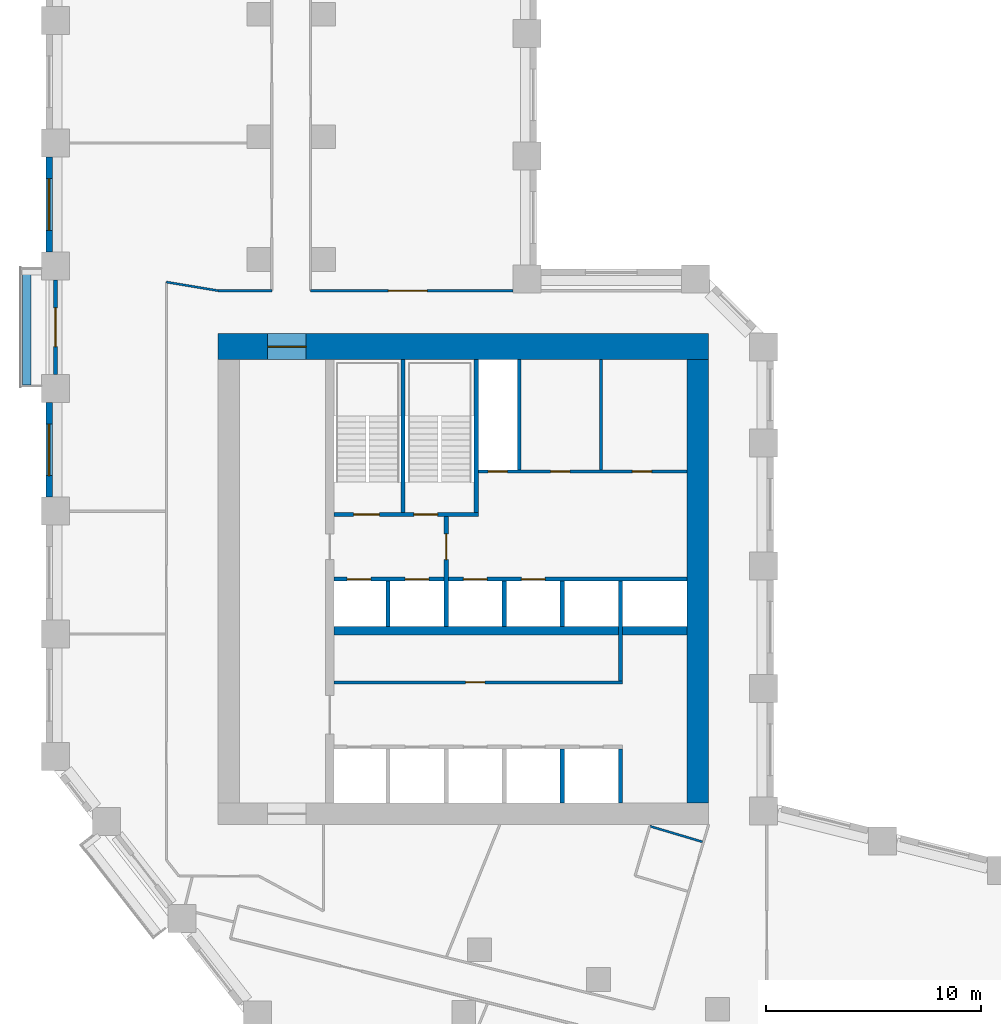
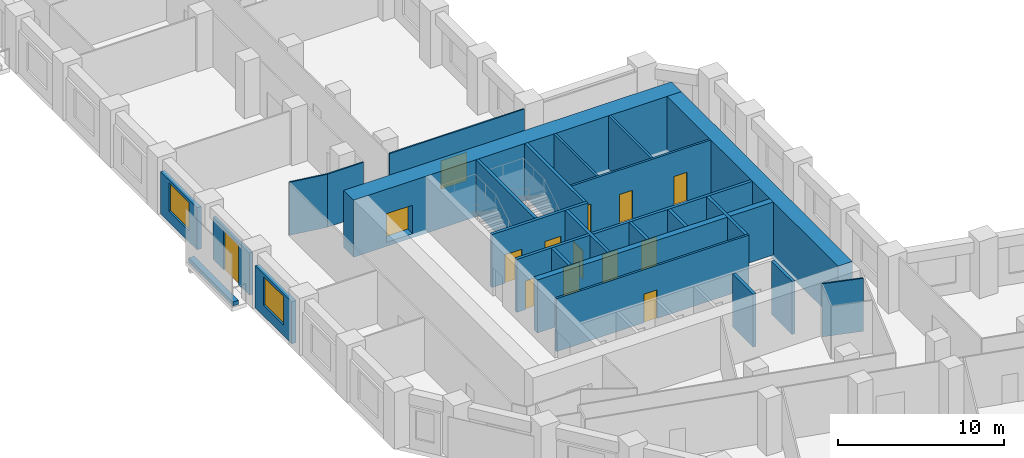
# One storey, part 5 of 10: 26 walls, 14 doors, 2 windows, 16 openings.
"""IFC4 building model written with IfcOpenShell, lengths in metres."""

from ifc_helpers import new_model, si_unit, direction, frame, frame_2d, origin, place, context, subcontext, project, spatial, rectangle, extrude, material, layer, layer_set, type_object, element, fill, save


model = new_model("IFC4")

# Units and contexts
model_context = context("Model", 3, precision=1e-05, world=origin(), true_north=direction((0.0, 1.0)))
body_context = subcontext(model_context, "Body", "Model", "MODEL_VIEW")
ifc_project = project(units=[si_unit("LENGTHUNIT", "METRE"), si_unit("AREAUNIT", "SQUARE_METRE"), si_unit("VOLUMEUNIT", "CUBIC_METRE"), si_unit("PLANEANGLEUNIT", "RADIAN"), si_unit("MASSUNIT", "GRAM", prefix="KILO")], contexts=[model_context])

# Site, building, storey
site_placement = place(None, origin())
site = spatial("IfcSite", under=ifc_project, at=site_placement, CompositionType="ELEMENT")
building_placement = place(site_placement, origin())
building = spatial("IfcBuilding", under=site, at=building_placement, Name="Meshkara Civic Tower", CompositionType="ELEMENT")
storey_placement = place(building_placement, frame((0.0, 0.0, 122.39990234375)))
storey = spatial("IfcBuildingStorey", under=building, at=storey_placement, Name="L27", CompositionType="ELEMENT", Elevation=122.39990234375)

# Wall, opening, door
ifc_material_1 = material(Name="Blockwork", Category="masonry")
ifc_layer_1 = layer(ifc_material_1, 0.14990234375)
ifc_layer_set_1 = layer_set([ifc_layer_1], Name="Core partition 150")
wall_type_1 = type_object("IfcWallType", Name="Core partition 150", PredefinedType="PARTITIONING", material=ifc_layer_set_1)
wall_1_placement = place(storey_placement, frame((13.39990234375, 20.699951171875, 0.0), z_axis=(0.0, 0.0, 1.0), x_axis=(1.0, 0.0, 0.0)))
wall_1 = element("IfcWall", 1, at=wall_1_placement, inside=storey, type_object=wall_type_1, Name="L27-C006", PredefinedType="PARTITIONING", context=body_context, shape_type="SweptSolid", body=[
    extrude(rectangle(XDim=13.400146484375, YDim=0.14990234375, at=frame_2d((6.7001953125, 0.0))), origin(), (0.0, 0.0, 1.0), 3.900146484375),
])
opening_1_placement = place(wall_1_placement, frame((6.10009765625, 0.0, 0.0)))
opening_1 = element("IfcOpeningElement", 2, at=opening_1_placement, cuts=wall_1, Name="Opening L27-K010", PredefinedType="OPENING", context=body_context, shape_type="SweptSolid", body=[
    extrude(rectangle(XDim=0.89990234375, YDim=2.10009765625, at=frame_2d((0.449951171875, 1.050048828125))), frame((0.0, 0.0849609375, 0.0), z_axis=(0.0, -1.0, 0.0), x_axis=(1.0, 0.0, 0.0)), (0.0, 0.0, 1.0), 0.169921875),
])
ifc_material_2 = material(Name="Timber door leaf in steel frame", Category="steel")
door_type_1 = type_object("IfcDoorType", Name="Core room door 900", OperationType="SINGLE_SWING_LEFT", PredefinedType="DOOR", material=ifc_material_2)
door_1_placement = place(opening_1_placement, origin())
door_1 = element("IfcDoor", 3, at=door_1_placement, inside=storey, type_object=door_type_1, Name="L27-K010", OperationType="SINGLE_SWING_RIGHT", OverallHeight=2.10009765625, OverallWidth=0.89990234375, PredefinedType="DOOR", context=body_context, shape_type="SweptSolid", body=[
    extrude(rectangle(XDim=0.89990234375, YDim=2.10009765625, at=frame_2d((0.449951171875, 1.050048828125))), frame((0.0, 0.02490234375, 0.0), z_axis=(0.0, -1.0, 0.0), x_axis=(1.0, 0.0, 0.0)), (0.0, 0.0, 1.0), 0.050048828125),
])
fill(opening_1, door_1)

# Wall, openings, doors
wall_2_placement = place(storey_placement, frame((20.10009765625, 30.5, 0.0), z_axis=(0.0, 0.0, 1.0), x_axis=(1.0, 0.0, 0.0)))
wall_2 = element("IfcWall", 4, at=wall_2_placement, inside=storey, type_object=wall_type_1, Name="L27-C010", PredefinedType="PARTITIONING", context=body_context, shape_type="SweptSolid", body=[
    extrude(rectangle(XDim=9.699951171875, YDim=0.14990234375, at=frame_2d((4.85009765625, 0.0))), origin(), (0.0, 0.0, 1.0), 3.900146484375),
])
opening_2_placement = place(wall_2_placement, frame((0.449951171875, 0.0, 0.0)))
opening_2 = element("IfcOpeningElement", 5, at=opening_2_placement, cuts=wall_2, Name="Opening L27-K011", PredefinedType="OPENING", context=body_context, shape_type="SweptSolid", body=[
    extrude(rectangle(XDim=0.89990234375, YDim=2.10009765625, at=frame_2d((0.449951171875, 1.050048828125))), frame((0.0, 0.0849609375, 0.0), z_axis=(0.0, -1.0, 0.0), x_axis=(1.0, 0.0, 0.0)), (0.0, 0.0, 1.0), 0.169921875),
])
opening_3_placement = place(wall_2_placement, frame((3.35009765625, 0.0, 0.0)))
opening_3 = element("IfcOpeningElement", 6, at=opening_3_placement, cuts=wall_2, Name="Opening L27-K012", PredefinedType="OPENING", context=body_context, shape_type="SweptSolid", body=[
    extrude(rectangle(XDim=0.89990234375, YDim=2.10009765625, at=frame_2d((0.449951171875, 1.050048828125))), frame((0.0, 0.0849609375, 0.0), z_axis=(0.0, -1.0, 0.0), x_axis=(1.0, 0.0, 0.0)), (0.0, 0.0, 1.0), 0.169921875),
])
opening_4_placement = place(wall_2_placement, frame((7.14990234375, 0.0, 0.0)))
opening_4 = element("IfcOpeningElement", 7, at=opening_4_placement, cuts=wall_2, Name="Opening L27-K013", PredefinedType="OPENING", context=body_context, shape_type="SweptSolid", body=[
    extrude(rectangle(XDim=0.89990234375, YDim=2.10009765625, at=frame_2d((0.449951171875, 1.050048828125))), frame((0.0, 0.0849609375, 0.0), z_axis=(0.0, -1.0, 0.0), x_axis=(1.0, 0.0, 0.0)), (0.0, 0.0, 1.0), 0.169921875),
])
door_2_placement = place(opening_3_placement, origin())
door_2 = element("IfcDoor", 8, at=door_2_placement, inside=storey, type_object=door_type_1, Name="L27-K012", OperationType="SINGLE_SWING_RIGHT", OverallHeight=2.10009765625, OverallWidth=0.89990234375, PredefinedType="DOOR", context=body_context, shape_type="SweptSolid", body=[
    extrude(rectangle(XDim=0.89990234375, YDim=2.10009765625, at=frame_2d((0.449951171875, 1.050048828125))), frame((0.0, 0.02490234375, 0.0), z_axis=(0.0, -1.0, 0.0), x_axis=(1.0, 0.0, 0.0)), (0.0, 0.0, 1.0), 0.050048828125),
])
fill(opening_3, door_2)
ifc_material_3 = material(Name="Fire-rated door leaf in steel frame", Category="steel")
door_type_2 = type_object("IfcDoorType", Name="Riser door 900", OperationType="SINGLE_SWING_LEFT", PredefinedType="DOOR", material=ifc_material_3)
door_3_placement = place(opening_2_placement, origin())
door_3 = element("IfcDoor", 9, at=door_3_placement, inside=storey, type_object=door_type_2, Name="L27-K011", OperationType="SINGLE_SWING_RIGHT", OverallHeight=2.10009765625, OverallWidth=0.89990234375, PredefinedType="DOOR", context=body_context, shape_type="SweptSolid", body=[
    extrude(rectangle(XDim=0.89990234375, YDim=2.10009765625, at=frame_2d((0.449951171875, 1.050048828125))), frame((0.0, 0.02490234375, 0.0), z_axis=(0.0, -1.0, 0.0), x_axis=(1.0, 0.0, 0.0)), (0.0, 0.0, 1.0), 0.050048828125),
])
fill(opening_2, door_3)
ifc_material_4 = material(Name="Timber door leaf in steel frame", Category="steel")
door_type_3 = type_object("IfcDoorType", Name="WC door 900", OperationType="SINGLE_SWING_LEFT", PredefinedType="DOOR", material=ifc_material_4)
door_4_placement = place(opening_4_placement, origin())
door_4 = element("IfcDoor", 10, at=door_4_placement, inside=storey, type_object=door_type_3, Name="L27-K013", OperationType="SINGLE_SWING_LEFT", OverallHeight=2.10009765625, OverallWidth=0.89990234375, PredefinedType="DOOR", context=body_context, shape_type="SweptSolid", body=[
    extrude(rectangle(XDim=0.89990234375, YDim=2.10009765625, at=frame_2d((0.449951171875, 1.050048828125))), frame((0.0, 0.02490234375, 0.0), z_axis=(0.0, -1.0, 0.0), x_axis=(1.0, 0.0, 0.0)), (0.0, 0.0, 1.0), 0.050048828125),
])
fill(opening_4, door_4)

# Walls
for number, where, z_axis, x_axis, name in (
    (11, (22.0, 30.574951171875, 0.0), (0.0, 0.0, 1.0), (0.0, 1.0, 0.0), "L27-C020"),
    (12, (25.800048828125, 30.574951171875, 0.0), (0.0, 0.0, 1.0), (0.0, 1.0, 0.0), "L27-C023"),
):
    element("IfcWall", number, at=place(storey_placement, frame(where, z_axis=z_axis, x_axis=x_axis)), inside=storey, type_object=wall_type_1, Name=name, PredefinedType="PARTITIONING", context=body_context, shape_type="SweptSolid", body=[
        extrude(rectangle(XDim=5.125, YDim=0.14990234375, at=frame_2d((2.5625, 0.0))), origin(), (0.0, 0.0, 1.0), 3.900146484375),
    ])
ifc_material_5 = material(Name="Concrete C70", Category="concrete")
ifc_layer_2 = layer(ifc_material_5, 1.0)
ifc_layer_set_2 = layer_set([ifc_layer_2], Name="Core ring wall 1000 C70")
wall_type_2 = type_object("IfcWallType", Name="Core ring wall 1000 C70", PredefinedType="SHEAR", material=ifc_layer_set_2)
wall_3_placement = place(storey_placement, frame((30.300048828125, 15.10009765625, -0.2998046875), z_axis=(0.0, 0.0, 1.0), x_axis=(0.0, 1.0, 0.0)))
element("IfcWall", 13, at=wall_3_placement, inside=storey, type_object=wall_type_2, Name="L27-C004", PredefinedType="SHEAR", context=body_context, shape_type="SweptSolid", body=[
    extrude(rectangle(XDim=20.599853515625, YDim=1.0, at=frame_2d((10.2998046875, 0.0))), origin(), (0.0, 0.0, 1.0), 4.199951171875),
])

# Wall, opening, door
ifc_material_6 = material(Name="Concrete C70", Category="concrete")
ifc_layer_3 = layer(ifc_material_6, 1.199951171875)
ifc_layer_set_3 = layer_set([ifc_layer_3], Name="Core ring wall 1200 C70")
wall_type_3 = type_object("IfcWallType", Name="Core ring wall 1200 C70", PredefinedType="SHEAR", material=ifc_layer_set_3)
wall_4_placement = place(storey_placement, frame((8.0, 36.300048828125, -0.2998046875), z_axis=(0.0, 0.0, 1.0), x_axis=(1.0, 0.0, 0.0)))
wall_4 = element("IfcWall", 14, at=wall_4_placement, inside=storey, type_object=wall_type_3, Name="L27-C002", PredefinedType="SHEAR", context=body_context, shape_type="SweptSolid", body=[
    extrude(rectangle(XDim=22.800048828125, YDim=1.199951171875, at=frame_2d((11.39990234375, 0.0))), origin(), (0.0, 0.0, 1.0), 4.199951171875),
])
opening_5_placement = place(wall_4_placement, frame((2.300048828125, 0.0, 0.300048828125)))
opening_5 = element("IfcOpeningElement", 15, at=opening_5_placement, cuts=wall_4, Name="Opening L27-K019", PredefinedType="OPENING", context=body_context, shape_type="SweptSolid", body=[
    extrude(rectangle(XDim=1.800048828125, YDim=2.10009765625, at=frame_2d((0.89990234375, 1.050048828125))), frame((0.0, 0.60986328125, 0.0), z_axis=(0.0, -1.0, 0.0), x_axis=(1.0, 0.0, 0.0)), (0.0, 0.0, 1.0), 1.219970703125),
])
ifc_material_7 = material(Name="Fire-rated door leaf in steel frame", Category="steel")
door_type_4 = type_object("IfcDoorType", Name="Core double door 1800 EI 60", OperationType="DOUBLE_DOOR_SINGLE_SWING", PredefinedType="DOOR", material=ifc_material_7)
door_5_placement = place(opening_5_placement, origin())
door_5 = element("IfcDoor", 16, at=door_5_placement, inside=storey, type_object=door_type_4, Name="L27-K019", OperationType="DOUBLE_DOOR_SINGLE_SWING", OverallHeight=2.10009765625, OverallWidth=1.800048828125, PredefinedType="DOOR", context=body_context, shape_type="SweptSolid", body=[
    extrude(rectangle(XDim=1.800048828125, YDim=2.10009765625, at=frame_2d((0.89990234375, 1.050048828125))), frame((0.0, 0.02490234375, 0.0), z_axis=(0.0, -1.0, 0.0), x_axis=(1.0, 0.0, 0.0)), (0.0, 0.0, 1.0), 0.050048828125),
])
fill(opening_5, door_5)

# Walls
ifc_material_8 = material(Name="Concrete C70", Category="concrete")
ifc_layer_4 = layer(ifc_material_8, 0.39990234375)
ifc_layer_set_4 = layer_set([ifc_layer_4], Name="Core shear wall 400 C70")
wall_type_4 = type_object("IfcWallType", Name="Core shear wall 400 C70", PredefinedType="SHEAR", material=ifc_layer_set_4)
wall_5_placement = place(storey_placement, frame((13.39990234375, 23.10009765625, 0.0), z_axis=(0.0, 0.0, 1.0), x_axis=(1.0, 0.0, 0.0)))
element("IfcWall", 17, at=wall_5_placement, inside=storey, type_object=wall_type_4, Name="L27-C007", PredefinedType="SHEAR", context=body_context, shape_type="SweptSolid", body=[
    extrude(rectangle(XDim=16.400146484375, YDim=0.39990234375, at=frame_2d((8.2001953125, 0.0))), origin(), (0.0, 0.0, 1.0), 3.900146484375),
])
ifc_material_9 = material(Name="Corridor wall 100")
ifc_layer_5 = layer(ifc_material_9, 0.10009765625)
ifc_layer_set_5 = layer_set([ifc_layer_5], Name="Corridor wall 100")
wall_type_5 = type_object("IfcWallType", Name="Corridor wall 100", PredefinedType="PARTITIONING", material=ifc_layer_set_5)
wall_6_placement = place(storey_placement, frame((8.0, 38.89990234375, 0.0), z_axis=(0.0, 0.0, 1.0), x_axis=(-0.986383073668, 0.16446407505, 0.0)))
element("IfcWall", 18, at=wall_6_placement, inside=storey, type_object=wall_type_5, Name="L27-W007", PredefinedType="PARTITIONING", context=body_context, shape_type="SweptSolid", body=[
    extrude(rectangle(XDim=2.43310546875, YDim=0.10009765625, at=frame_2d((1.216552734375, 0.0))), origin(), (0.0, 0.0, 1.0), 3.900146484375),
])
wall_7_placement = place(storey_placement, frame((10.5, 38.89990234375, 0.0), z_axis=(0.0, 0.0, 1.0), x_axis=(-1.0, 0.0, 0.0)))
element("IfcWall", 19, at=wall_7_placement, inside=storey, type_object=wall_type_5, Name="L27-W012", PredefinedType="PARTITIONING", context=body_context, shape_type="SweptSolid", body=[
    extrude(rectangle(XDim=2.5, YDim=0.10009765625, at=frame_2d((1.25, 0.0))), origin(), (0.0, 0.0, 1.0), 3.900146484375),
])

# Wall, opening, door
wall_8_placement = place(storey_placement, frame((21.699951171875, 38.89990234375, 0.0), z_axis=(0.0, 0.0, 1.0), x_axis=(-1.0, 0.0, 0.0)))
wall_8 = element("IfcWall", 20, at=wall_8_placement, inside=storey, type_object=wall_type_5, Name="L27-W019", PredefinedType="PARTITIONING", context=body_context, shape_type="SweptSolid", body=[
    extrude(rectangle(XDim=9.39990234375, YDim=0.10009765625, at=frame_2d((4.699951171875, 0.0))), origin(), (0.0, 0.0, 1.0), 3.900146484375),
])
opening_6_placement = place(wall_8_placement, frame((3.97998046875, 0.0, 0.0)))
opening_6 = element("IfcOpeningElement", 21, at=opening_6_placement, cuts=wall_8, Name="Opening L27-D019", PredefinedType="OPENING", context=body_context, shape_type="SweptSolid", body=[
    extrude(rectangle(XDim=1.800048828125, YDim=2.10009765625, at=frame_2d((0.89990234375, 1.050048828125))), frame((0.0, 0.06005859375, 0.0), z_axis=(0.0, -1.0, 0.0), x_axis=(1.0, 0.0, 0.0)), (0.0, 0.0, 1.0), 0.1201171875),
])
ifc_material_10 = material(Name="Door pair 1800 x 2100")
door_type_5 = type_object("IfcDoorType", Name="Door pair 1800 x 2100", OperationType="SINGLE_SWING_LEFT", PredefinedType="DOOR", material=ifc_material_10)
door_6_placement = place(opening_6_placement, origin())
door_6 = element("IfcDoor", 22, at=door_6_placement, inside=storey, type_object=door_type_5, Name="L27-D019", OperationType="DOUBLE_DOOR_SINGLE_SWING", OverallHeight=2.10009765625, OverallWidth=1.800048828125, PredefinedType="DOOR", context=body_context, shape_type="SweptSolid", body=[
    extrude(rectangle(XDim=1.800048828125, YDim=2.10009765625, at=frame_2d((0.89990234375, 1.050048828125))), frame((0.0, 0.02490234375, 0.0), z_axis=(0.0, -1.0, 0.0), x_axis=(1.0, 0.0, 0.0)), (0.0, 0.0, 1.0), 0.050048828125),
])
fill(opening_6, door_6)

# Wall, opening, window
ifc_material_11 = material(Name="Insulated infill panel with bronze anodised aluminium cladding", Category="aluminium")
ifc_layer_6 = layer(ifc_material_11, 0.300048828125)
ifc_layer_set_6 = layer_set([ifc_layer_6], Name="EXTERNAL INFILL WALL 300")
wall_type_6 = type_object("IfcWallType", Name="EXTERNAL INFILL WALL 300", PredefinedType="SOLIDWALL", material=ifc_layer_set_6)
wall_9_placement = place(storey_placement, frame((0.14990234375, 45.10498046875, 0.0), z_axis=(0.0, 0.0, 1.0), x_axis=(0.0, -1.0, 0.0)))
wall_9 = element("IfcWall", 23, at=wall_9_placement, inside=storey, type_object=wall_type_6, Name="External wall", PredefinedType="SOLIDWALL", context=body_context, shape_type="SweptSolid", body=[
    extrude(rectangle(XDim=4.39990234375, YDim=0.300048828125, at=frame_2d((2.199951171875, 0.0))), origin(), (0.0, 0.0, 1.0), 3.10009765625),
])
opening_7_placement = place(wall_9_placement, frame((1.0, 0.0, 0.800048828125)))
opening_7 = element("IfcOpeningElement", 24, at=opening_7_placement, cuts=wall_9, Name="Opening W7", PredefinedType="OPENING", context=body_context, shape_type="SweptSolid", body=[
    extrude(rectangle(XDim=2.39990234375, YDim=2.10009765625, at=frame_2d((1.199951171875, 1.050048828125))), frame((0.0, 0.159912109375, 0.0), z_axis=(0.0, -1.0, 0.0), x_axis=(1.0, 0.0, 0.0)), (0.0, 0.0, 1.0), 0.320068359375),
])
ifc_material_12 = material(Name="Tinted double glazing", Category="glass")
window_type = type_object("IfcWindowType", Name="WINDOW 2400x2100", PartitioningType="DOUBLE_PANEL_VERTICAL", PredefinedType="WINDOW", material=ifc_material_12)
window_1_placement = place(opening_7_placement, origin())
window_1 = element("IfcWindow", 25, at=window_1_placement, inside=storey, type_object=window_type, Name="Window", OverallHeight=2.10009765625, OverallWidth=2.39990234375, PartitioningType="DOUBLE_PANEL_VERTICAL", PredefinedType="WINDOW", context=body_context, shape_type="SweptSolid", body=[
    extrude(rectangle(XDim=2.39990234375, YDim=2.10009765625, at=frame_2d((1.199951171875, 1.050048828125))), frame((0.0, 0.030029296875, 0.0), z_axis=(0.0, -1.0, 0.0), x_axis=(1.0, 0.0, 0.0)), (0.0, 0.0, 1.0), 0.06005859375),
])
fill(opening_7, window_1)

wall_10_placement = place(storey_placement, frame((0.14990234375, 33.705078125, 0.0), z_axis=(0.0, 0.0, 1.0), x_axis=(0.0, -1.0, 0.0)))
wall_10 = element("IfcWall", 26, at=wall_10_placement, inside=storey, type_object=wall_type_6, Name="External wall", PredefinedType="SOLIDWALL", context=body_context, shape_type="SweptSolid", body=[
    extrude(rectangle(XDim=4.400146484375, YDim=0.300048828125, at=frame_2d((2.2001953125, 0.0))), origin(), (0.0, 0.0, 1.0), 3.10009765625),
])
opening_8_placement = place(wall_10_placement, frame((1.0, 0.0, 0.800048828125)))
opening_8 = element("IfcOpeningElement", 27, at=opening_8_placement, cuts=wall_10, Name="Opening W7", PredefinedType="OPENING", context=body_context, shape_type="SweptSolid", body=[
    extrude(rectangle(XDim=2.39990234375, YDim=2.10009765625, at=frame_2d((1.199951171875, 1.050048828125))), frame((0.0, 0.159912109375, 0.0), z_axis=(0.0, -1.0, 0.0), x_axis=(1.0, 0.0, 0.0)), (0.0, 0.0, 1.0), 0.320068359375),
])
window_2_placement = place(opening_8_placement, origin())
window_2 = element("IfcWindow", 28, at=window_2_placement, inside=storey, type_object=window_type, Name="Window", OverallHeight=2.10009765625, OverallWidth=2.39990234375, PartitioningType="DOUBLE_PANEL_VERTICAL", PredefinedType="WINDOW", context=body_context, shape_type="SweptSolid", body=[
    extrude(rectangle(XDim=2.39990234375, YDim=2.10009765625, at=frame_2d((1.199951171875, 1.050048828125))), frame((0.0, 0.030029296875, 0.0), z_axis=(0.0, -1.0, 0.0), x_axis=(1.0, 0.0, 0.0)), (0.0, 0.0, 1.0), 0.06005859375),
])
fill(opening_8, window_2)

# Wall, opening, door
ifc_material_13 = material(Name="Insulated infill panel with bronze anodised aluminium cladding", Category="aluminium")
ifc_layer_7 = layer(ifc_material_13, 0.199951171875)
ifc_layer_set_7 = layer_set([ifc_layer_7], Name="LOGGIA BACK WALL 200")
wall_type_7 = type_object("IfcWallType", Name="LOGGIA BACK WALL 200", PredefinedType="SOLIDWALL", material=ifc_layer_set_7)
wall_11_placement = place(storey_placement, frame((0.449951171875, 39.404052734375, 0.0), z_axis=(0.0, 0.0, 1.0), x_axis=(0.0, -1.0, 0.0)))
wall_11 = element("IfcWall", 29, at=wall_11_placement, inside=storey, type_object=wall_type_7, Name="Loggia wall", PredefinedType="SOLIDWALL", context=body_context, shape_type="SweptSolid", body=[
    extrude(rectangle(XDim=4.399169921875, YDim=0.199951171875, at=frame_2d((2.19970703125, 0.0))), origin(), (0.0, 0.0, 1.0), 3.10009765625),
])
opening_9_placement = place(wall_11_placement, frame((1.300048828125, 0.0, 0.0)))
opening_9 = element("IfcOpeningElement", 30, at=opening_9_placement, cuts=wall_11, Name="Opening L27-L002", PredefinedType="OPENING", context=body_context, shape_type="SweptSolid", body=[
    extrude(rectangle(XDim=1.800048828125, YDim=2.89990234375, at=frame_2d((0.89990234375, 1.449951171875))), frame((0.0, 0.10986328125, 0.0), z_axis=(0.0, -1.0, 0.0), x_axis=(1.0, 0.0, 0.0)), (0.0, 0.0, 1.0), 0.219970703125),
])
ifc_material_14 = material(Name="Tinted double glazing", Category="glass")
door_type_6 = type_object("IfcDoorType", Name="LOGGIA DOOR 1800x2900", OperationType="DOUBLE_DOOR_SINGLE_SWING", PredefinedType="DOOR", material=ifc_material_14)
door_7_placement = place(opening_9_placement, origin())
door_7 = element("IfcDoor", 31, at=door_7_placement, inside=storey, type_object=door_type_6, Name="L27-L002", OperationType="DOUBLE_DOOR_SINGLE_SWING", OverallHeight=2.89990234375, OverallWidth=1.800048828125, PredefinedType="DOOR", context=body_context, shape_type="SweptSolid", body=[
    extrude(rectangle(XDim=1.800048828125, YDim=2.89990234375, at=frame_2d((0.89990234375, 1.449951171875))), frame((0.0, 0.02490234375, 0.0), z_axis=(0.0, -1.0, 0.0), x_axis=(1.0, 0.0, 0.0)), (0.0, 0.0, 1.0), 0.050048828125),
])
fill(opening_9, door_7)

# Walls
ifc_material_15 = material(Name="Concrete C40", Category="concrete")
ifc_layer_8 = layer(ifc_material_15, 0.39990234375)
ifc_layer_set_8 = layer_set([ifc_layer_8], Name="PLANTER TRAY")
wall_type_8 = type_object("IfcWallType", Name="PLANTER TRAY", PredefinedType="SOLIDWALL", material=ifc_layer_set_8)
wall_12_placement = place(storey_placement, frame((-0.8798828125, 39.885009765625, 0.0), z_axis=(0.0, 0.0, 1.0), x_axis=(0.0, -1.0, 0.0)))
element("IfcWall", 32, at=wall_12_placement, inside=storey, type_object=wall_type_8, Name="Planter", PredefinedType="SOLIDWALL", context=body_context, shape_type="SweptSolid", body=[
    extrude(rectangle(XDim=5.360107421875, YDim=0.39990234375, at=frame_2d((2.68017578125, 0.0))), origin(), (0.0, 0.0, 1.0), 0.300048828125),
])
ifc_material_16 = material(Name="Partition 100")
ifc_layer_9 = layer(ifc_material_16, 0.10009765625)
ifc_layer_set_9 = layer_set([ifc_layer_9], Name="Partition 100")
wall_type_9 = type_object("IfcWallType", Name="Partition 100", PredefinedType="PARTITIONING", material=ifc_layer_set_9)
wall_13_placement = place(storey_placement, frame((28.06298828125, 14.01904296875, 0.0), z_axis=(0.0, 0.0, 1.0), x_axis=(0.958521516937, -0.285020177478, 0.0)))
element("IfcWall", 33, at=wall_13_placement, inside=storey, type_object=wall_type_9, Name="L27-W045", PredefinedType="PARTITIONING", context=body_context, shape_type="SweptSolid", body=[
    extrude(rectangle(XDim=2.55078125, YDim=0.10009765625, at=frame_2d((1.275390625, 0.0))), origin(), (0.0, 0.0, 1.0), 3.900146484375),
])

# Wall, openings, doors
ifc_material_17 = material(Name="Concrete C40/50", Category="concrete")
ifc_layer_10 = layer(ifc_material_17, 0.199951171875)
ifc_layer_set_10 = layer_set([ifc_layer_10], Name="Shaft wall 200 C40/50")
wall_type_10 = type_object("IfcWallType", Name="Shaft wall 200 C40/50", PredefinedType="SOLIDWALL", material=ifc_layer_set_10)
wall_14_placement = place(storey_placement, frame((13.39990234375, 25.5, 0.0), z_axis=(0.0, 0.0, 1.0), x_axis=(1.0, 0.0, 0.0)))
wall_14 = element("IfcWall", 34, at=wall_14_placement, inside=storey, type_object=wall_type_10, Name="L27-C008", PredefinedType="SOLIDWALL", context=body_context, shape_type="SweptSolid", body=[
    extrude(rectangle(XDim=16.400146484375, YDim=0.199951171875, at=frame_2d((8.2001953125, 0.0))), origin(), (0.0, 0.0, 1.0), 3.900146484375),
])
opening_10_placement = place(wall_14_placement, frame((0.60009765625, 0.0, 0.0)))
opening_10 = element("IfcOpeningElement", 35, at=opening_10_placement, cuts=wall_14, Name="Opening L27-K006", PredefinedType="OPENING", context=body_context, shape_type="SweptSolid", body=[
    extrude(rectangle(XDim=1.10009765625, YDim=2.10009765625, at=frame_2d((0.550048828125, 1.050048828125))), frame((0.0, 0.10986328125, 0.0), z_axis=(0.0, -1.0, 0.0), x_axis=(1.0, 0.0, 0.0)), (0.0, 0.0, 1.0), 0.219970703125),
])
opening_11_placement = place(wall_14_placement, frame((3.300048828125, 0.0, 0.0)))
opening_11 = element("IfcOpeningElement", 36, at=opening_11_placement, cuts=wall_14, Name="Opening L27-K007", PredefinedType="OPENING", context=body_context, shape_type="SweptSolid", body=[
    extrude(rectangle(XDim=1.10009765625, YDim=2.10009765625, at=frame_2d((0.550048828125, 1.050048828125))), frame((0.0, 0.10986328125, 0.0), z_axis=(0.0, -1.0, 0.0), x_axis=(1.0, 0.0, 0.0)), (0.0, 0.0, 1.0), 0.219970703125),
])
opening_12_placement = place(wall_14_placement, frame((6.0, 0.0, 0.0)))
opening_12 = element("IfcOpeningElement", 37, at=opening_12_placement, cuts=wall_14, Name="Opening L27-K008", PredefinedType="OPENING", context=body_context, shape_type="SweptSolid", body=[
    extrude(rectangle(XDim=1.10009765625, YDim=2.10009765625, at=frame_2d((0.550048828125, 1.050048828125))), frame((0.0, 0.10986328125, 0.0), z_axis=(0.0, -1.0, 0.0), x_axis=(1.0, 0.0, 0.0)), (0.0, 0.0, 1.0), 0.219970703125),
])
opening_13_placement = place(wall_14_placement, frame((8.699951171875, 0.0, 0.0)))
opening_13 = element("IfcOpeningElement", 38, at=opening_13_placement, cuts=wall_14, Name="Opening L27-K009", PredefinedType="OPENING", context=body_context, shape_type="SweptSolid", body=[
    extrude(rectangle(XDim=1.10009765625, YDim=2.10009765625, at=frame_2d((0.550048828125, 1.050048828125))), frame((0.0, 0.10986328125, 0.0), z_axis=(0.0, -1.0, 0.0), x_axis=(1.0, 0.0, 0.0)), (0.0, 0.0, 1.0), 0.219970703125),
])
ifc_material_18 = material(Name="Stainless steel landing door", Category="steel")
door_type_7 = type_object("IfcDoorType", Name="Lift landing door 1100", OperationType="SLIDING_TO_LEFT", PredefinedType="DOOR", material=ifc_material_18)
door_8_placement = place(opening_10_placement, origin())
door_8 = element("IfcDoor", 39, at=door_8_placement, inside=storey, type_object=door_type_7, Name="L27-K006", OperationType="SLIDING_TO_LEFT", OverallHeight=2.10009765625, OverallWidth=1.10009765625, PredefinedType="DOOR", context=body_context, shape_type="SweptSolid", body=[
    extrude(rectangle(XDim=1.10009765625, YDim=2.10009765625, at=frame_2d((0.550048828125, 1.050048828125))), frame((0.0, 0.02490234375, 0.0), z_axis=(0.0, -1.0, 0.0), x_axis=(1.0, 0.0, 0.0)), (0.0, 0.0, 1.0), 0.050048828125),
])
fill(opening_10, door_8)
door_9_placement = place(opening_11_placement, origin())
door_9 = element("IfcDoor", 40, at=door_9_placement, inside=storey, type_object=door_type_7, Name="L27-K007", OperationType="SLIDING_TO_LEFT", OverallHeight=2.10009765625, OverallWidth=1.10009765625, PredefinedType="DOOR", context=body_context, shape_type="SweptSolid", body=[
    extrude(rectangle(XDim=1.10009765625, YDim=2.10009765625, at=frame_2d((0.550048828125, 1.050048828125))), frame((0.0, 0.02490234375, 0.0), z_axis=(0.0, -1.0, 0.0), x_axis=(1.0, 0.0, 0.0)), (0.0, 0.0, 1.0), 0.050048828125),
])
fill(opening_11, door_9)
door_10_placement = place(opening_12_placement, origin())
door_10 = element("IfcDoor", 41, at=door_10_placement, inside=storey, type_object=door_type_7, Name="L27-K008", OperationType="SLIDING_TO_LEFT", OverallHeight=2.10009765625, OverallWidth=1.10009765625, PredefinedType="DOOR", context=body_context, shape_type="SweptSolid", body=[
    extrude(rectangle(XDim=1.10009765625, YDim=2.10009765625, at=frame_2d((0.550048828125, 1.050048828125))), frame((0.0, 0.02490234375, 0.0), z_axis=(0.0, -1.0, 0.0), x_axis=(1.0, 0.0, 0.0)), (0.0, 0.0, 1.0), 0.050048828125),
])
fill(opening_12, door_10)
door_11_placement = place(opening_13_placement, origin())
door_11 = element("IfcDoor", 42, at=door_11_placement, inside=storey, type_object=door_type_7, Name="L27-K009", OperationType="SLIDING_TO_LEFT", OverallHeight=2.10009765625, OverallWidth=1.10009765625, PredefinedType="DOOR", context=body_context, shape_type="SweptSolid", body=[
    extrude(rectangle(XDim=1.10009765625, YDim=2.10009765625, at=frame_2d((0.550048828125, 1.050048828125))), frame((0.0, 0.02490234375, 0.0), z_axis=(0.0, -1.0, 0.0), x_axis=(1.0, 0.0, 0.0)), (0.0, 0.0, 1.0), 0.050048828125),
])
fill(opening_13, door_11)

# Wall
wall_15_placement = place(storey_placement, frame((15.89990234375, 23.300048828125, 0.0), z_axis=(0.0, 0.0, 1.0), x_axis=(0.0, 1.0, 0.0)))
element("IfcWall", 43, at=wall_15_placement, inside=storey, type_object=wall_type_10, Name="L27-C013", PredefinedType="SOLIDWALL", context=body_context, shape_type="SweptSolid", body=[
    extrude(rectangle(XDim=2.099853515625, YDim=0.199951171875, at=frame_2d((1.0498046875, 0.0))), origin(), (0.0, 0.0, 1.0), 3.900146484375),
])

# Wall, opening, door
wall_16_placement = place(storey_placement, frame((18.60009765625, 23.300048828125, 0.0), z_axis=(0.0, 0.0, 1.0), x_axis=(0.0, 1.0, 0.0)))
wall_16 = element("IfcWall", 44, at=wall_16_placement, inside=storey, type_object=wall_type_10, Name="L27-C016", PredefinedType="SOLIDWALL", context=body_context, shape_type="SweptSolid", body=[
    extrude(rectangle(XDim=5.099853515625, YDim=0.199951171875, at=frame_2d((2.5498046875, 0.0))), origin(), (0.0, 0.0, 1.0), 3.900146484375),
])
opening_14_placement = place(wall_16_placement, frame((3.10009765625, 0.0, 0.0)))
opening_14 = element("IfcOpeningElement", 45, at=opening_14_placement, cuts=wall_16, Name="Opening L27-K018", PredefinedType="OPENING", context=body_context, shape_type="SweptSolid", body=[
    extrude(rectangle(XDim=1.199951171875, YDim=2.10009765625, at=frame_2d((0.60009765625, 1.050048828125))), frame((0.0, 0.10986328125, 0.0), z_axis=(0.0, -1.0, 0.0), x_axis=(1.0, 0.0, 0.0)), (0.0, 0.0, 1.0), 0.219970703125),
])
ifc_material_19 = material(Name="Fire-rated door leaf in steel frame", Category="steel")
door_type_8 = type_object("IfcDoorType", Name="Fire-fighting lobby door 1200 EI 120", OperationType="SINGLE_SWING_LEFT", PredefinedType="DOOR", material=ifc_material_19)
door_12_placement = place(opening_14_placement, origin())
door_12 = element("IfcDoor", 46, at=door_12_placement, inside=storey, type_object=door_type_8, Name="L27-K018", OperationType="SINGLE_SWING_RIGHT", OverallHeight=2.10009765625, OverallWidth=1.199951171875, PredefinedType="DOOR", context=body_context, shape_type="SweptSolid", body=[
    extrude(rectangle(XDim=1.199951171875, YDim=2.10009765625, at=frame_2d((0.60009765625, 1.050048828125))), frame((0.0, 0.02490234375, 0.0), z_axis=(0.0, -1.0, 0.0), x_axis=(1.0, 0.0, 0.0)), (0.0, 0.0, 1.0), 0.050048828125),
])
fill(opening_14, door_12)

# Walls
wall_17_placement = place(storey_placement, frame((21.300048828125, 23.300048828125, 0.0), z_axis=(0.0, 0.0, 1.0), x_axis=(0.0, 1.0, 0.0)))
element("IfcWall", 47, at=wall_17_placement, inside=storey, type_object=wall_type_10, Name="L27-C019", PredefinedType="SOLIDWALL", context=body_context, shape_type="SweptSolid", body=[
    extrude(rectangle(XDim=2.099853515625, YDim=0.199951171875, at=frame_2d((1.0498046875, 0.0))), origin(), (0.0, 0.0, 1.0), 3.900146484375),
])
wall_18_placement = place(storey_placement, frame((24.0, 15.10009765625, 0.0), z_axis=(0.0, 0.0, 1.0), x_axis=(0.0, 1.0, 0.0)))
element("IfcWall", 48, at=wall_18_placement, inside=storey, type_object=wall_type_10, Name="L27-C021", PredefinedType="SOLIDWALL", context=body_context, shape_type="SweptSolid", body=[
    extrude(rectangle(XDim=2.5, YDim=0.199951171875, at=frame_2d((1.25, 0.0))), origin(), (0.0, 0.0, 1.0), 3.900146484375),
])
wall_19_placement = place(storey_placement, frame((24.0, 23.300048828125, 0.0), z_axis=(0.0, 0.0, 1.0), x_axis=(0.0, 1.0, 0.0)))
element("IfcWall", 49, at=wall_19_placement, inside=storey, type_object=wall_type_10, Name="L27-C022", PredefinedType="SOLIDWALL", context=body_context, shape_type="SweptSolid", body=[
    extrude(rectangle(XDim=2.099853515625, YDim=0.199951171875, at=frame_2d((1.0498046875, 0.0))), origin(), (0.0, 0.0, 1.0), 3.900146484375),
])
wall_20_placement = place(storey_placement, frame((26.699951171875, 15.10009765625, 0.0), z_axis=(0.0, 0.0, 1.0), x_axis=(0.0, 1.0, 0.0)))
element("IfcWall", 50, at=wall_20_placement, inside=storey, type_object=wall_type_10, Name="L27-C024", PredefinedType="SOLIDWALL", context=body_context, shape_type="SweptSolid", body=[
    extrude(rectangle(XDim=2.5, YDim=0.199951171875, at=frame_2d((1.25, 0.0))), origin(), (0.0, 0.0, 1.0), 3.900146484375),
])
wall_21_placement = place(storey_placement, frame((26.699951171875, 20.77490234375, 0.0), z_axis=(0.0, 0.0, 1.0), x_axis=(0.0, 1.0, 0.0)))
element("IfcWall", 51, at=wall_21_placement, inside=storey, type_object=wall_type_10, Name="L27-C025", PredefinedType="SOLIDWALL", context=body_context, shape_type="SweptSolid", body=[
    extrude(rectangle(XDim=4.625, YDim=0.199951171875, at=frame_2d((2.3125, 0.0))), origin(), (0.0, 0.0, 1.0), 3.900146484375),
])

# Wall, openings, doors
ifc_material_20 = material(Name="Concrete C40/50", Category="concrete")
ifc_layer_11 = layer(ifc_material_20, 0.199951171875)
ifc_layer_set_11 = layer_set([ifc_layer_11], Name="Stair enclosure wall 200 C40/50")
wall_type_11 = type_object("IfcWallType", Name="Stair enclosure wall 200 C40/50", PredefinedType="SOLIDWALL", material=ifc_layer_set_11)
wall_22_placement = place(storey_placement, frame((13.39990234375, 28.5, 0.0), z_axis=(0.0, 0.0, 1.0), x_axis=(1.0, 0.0, 0.0)))
wall_22 = element("IfcWall", 52, at=wall_22_placement, inside=storey, type_object=wall_type_11, Name="L27-C009", PredefinedType="SOLIDWALL", context=body_context, shape_type="SweptSolid", body=[
    extrude(rectangle(XDim=6.7001953125, YDim=0.199951171875, at=frame_2d((3.35009765625, 0.0))), origin(), (0.0, 0.0, 1.0), 3.900146484375),
])
opening_15_placement = place(wall_22_placement, frame((0.89990234375, 0.0, 0.0)))
opening_15 = element("IfcOpeningElement", 53, at=opening_15_placement, cuts=wall_22, Name="Opening L27-K014", PredefinedType="OPENING", context=body_context, shape_type="SweptSolid", body=[
    extrude(rectangle(XDim=1.199951171875, YDim=2.10009765625, at=frame_2d((0.60009765625, 1.050048828125))), frame((0.0, 0.10986328125, 0.0), z_axis=(0.0, -1.0, 0.0), x_axis=(1.0, 0.0, 0.0)), (0.0, 0.0, 1.0), 0.219970703125),
])
opening_16_placement = place(wall_22_placement, frame((3.699951171875, 0.0, 0.0)))
opening_16 = element("IfcOpeningElement", 54, at=opening_16_placement, cuts=wall_22, Name="Opening L27-K015", PredefinedType="OPENING", context=body_context, shape_type="SweptSolid", body=[
    extrude(rectangle(XDim=1.10009765625, YDim=2.10009765625, at=frame_2d((0.550048828125, 1.050048828125))), frame((0.0, 0.10986328125, 0.0), z_axis=(0.0, -1.0, 0.0), x_axis=(1.0, 0.0, 0.0)), (0.0, 0.0, 1.0), 0.219970703125),
])
ifc_material_21 = material(Name="Fire-rated door leaf in steel frame", Category="steel")
door_type_9 = type_object("IfcDoorType", Name="Stair door 1100 EI 120", OperationType="SINGLE_SWING_LEFT", PredefinedType="DOOR", material=ifc_material_21)
door_13_placement = place(opening_16_placement, origin())
door_13 = element("IfcDoor", 55, at=door_13_placement, inside=storey, type_object=door_type_9, Name="L27-K015", OperationType="SINGLE_SWING_LEFT", OverallHeight=2.10009765625, OverallWidth=1.10009765625, PredefinedType="DOOR", context=body_context, shape_type="SweptSolid", body=[
    extrude(rectangle(XDim=1.10009765625, YDim=2.10009765625, at=frame_2d((0.550048828125, 1.050048828125))), frame((0.0, 0.02490234375, 0.0), z_axis=(0.0, -1.0, 0.0), x_axis=(1.0, 0.0, 0.0)), (0.0, 0.0, 1.0), 0.050048828125),
])
fill(opening_16, door_13)
ifc_material_22 = material(Name="Fire-rated door leaf in steel frame", Category="steel")
door_type_10 = type_object("IfcDoorType", Name="Stair door 1200 EI 120", OperationType="SINGLE_SWING_LEFT", PredefinedType="DOOR", material=ifc_material_22)
door_14_placement = place(opening_15_placement, origin())
door_14 = element("IfcDoor", 56, at=door_14_placement, inside=storey, type_object=door_type_10, Name="L27-K014", OperationType="SINGLE_SWING_RIGHT", OverallHeight=2.10009765625, OverallWidth=1.199951171875, PredefinedType="DOOR", context=body_context, shape_type="SweptSolid", body=[
    extrude(rectangle(XDim=1.199951171875, YDim=2.10009765625, at=frame_2d((0.60009765625, 1.050048828125))), frame((0.0, 0.02490234375, 0.0), z_axis=(0.0, -1.0, 0.0), x_axis=(1.0, 0.0, 0.0)), (0.0, 0.0, 1.0), 0.050048828125),
])
fill(opening_15, door_14)

# Walls
for number, where, z_axis, x_axis, name in (
    (57, (16.60009765625, 28.60009765625, 0.0), (0.0, 0.0, 1.0), (0.0, 1.0, 0.0), "L27-C014"),
    (58, (20.0, 28.60009765625, 0.0), (0.0, 0.0, 1.0), (0.0, 1.0, 0.0), "L27-C017"),
):
    element("IfcWall", number, at=place(storey_placement, frame(where, z_axis=z_axis, x_axis=x_axis)), inside=storey, type_object=wall_type_11, Name=name, PredefinedType="SOLIDWALL", context=body_context, shape_type="SweptSolid", body=[
        extrude(rectangle(XDim=7.099853515625, YDim=0.199951171875, at=frame_2d((3.5498046875, 0.0))), origin(), (0.0, 0.0, 1.0), 3.900146484375),
    ])

save(model, "model.ifc")
